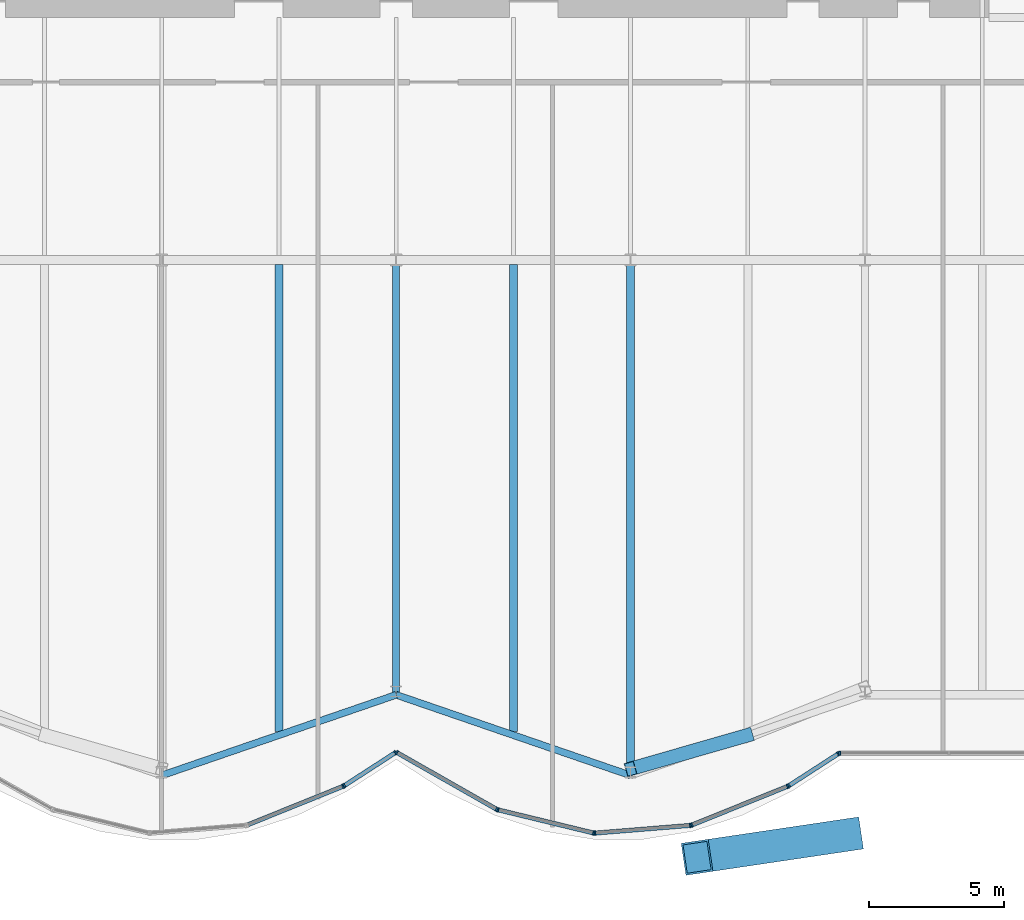
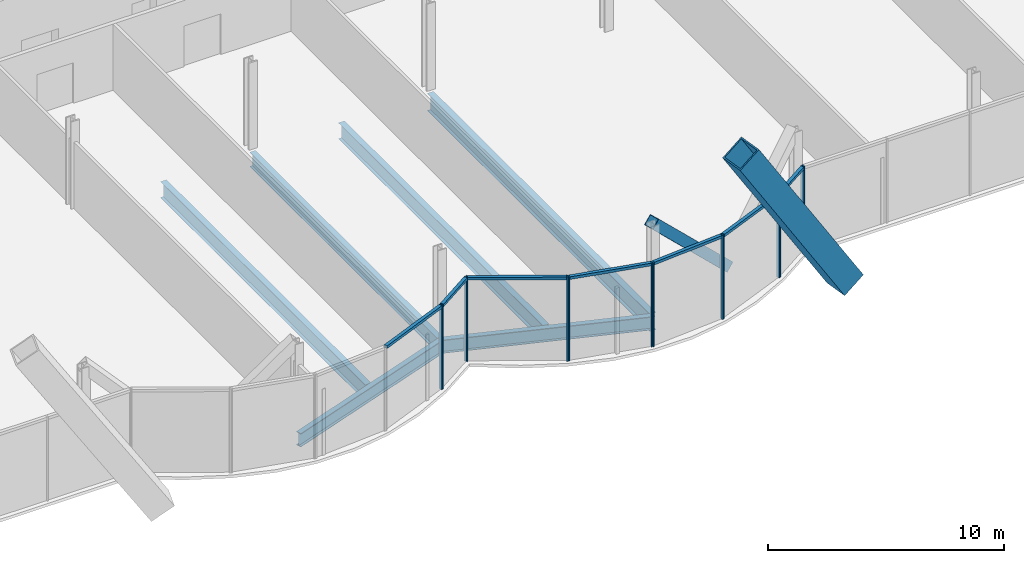
# One storey, part 8 of 23: 23 members, 6 beams, 3 elements without a shape of their own.
"""IFC4 building model written with IfcOpenShell, lengths in metres."""

from ifc_helpers import new_model, si_unit, direction, frame, origin, origin_2d, place, context, subcontext, project, spatial, rectangle, hollow_rectangle, i_section, extrude, material, material_profile, profile_set, type_object, element, aggregate, save


model = new_model("IFC4")

# Units and contexts
model_context = context("Model", 3, precision=1e-05, world=origin(), true_north=direction((0.0, 1.0)))
body_context = subcontext(model_context, "Body", "Model", "MODEL_VIEW")
ifc_project = project(units=[si_unit("LENGTHUNIT", "METRE"), si_unit("AREAUNIT", "SQUARE_METRE"), si_unit("VOLUMEUNIT", "CUBIC_METRE"), si_unit("PLANEANGLEUNIT", "RADIAN"), si_unit("MASSUNIT", "GRAM", prefix="KILO")], contexts=[model_context])

# Site, building, storey
site_placement = place(None, origin())
site = spatial("IfcSite", under=ifc_project, at=site_placement, CompositionType="ELEMENT")
building_placement = place(site_placement, origin())
building = spatial("IfcBuilding", under=site, at=building_placement, Name="Bicima Exchange Tower", CompositionType="ELEMENT")
storey_placement = place(building_placement, frame((0.0, 0.0, 62.0)))
storey = spatial("IfcBuildingStorey", under=building, at=storey_placement, Name="L12", CompositionType="ELEMENT", Elevation=62.0)

# Member
ifc_material_1 = material(Name="Steel ASTM A572 Gr 50", Category="steel")
ifc_material_profile_1 = material_profile(ifc_material_1, hollow_rectangle(XDim=1.199951171875, YDim=1.199951171875, WallThickness=0.070068359375, at=origin_2d()))
ifc_profile_set_1 = profile_set([ifc_material_profile_1], Name="Steel ASTM A572 Gr 50")
member_type_1 = type_object("IfcMemberType", Name="Exo mega brace BOX 1200x1200x70", PredefinedType="BRACE", material=ifc_profile_set_1)
member_1_placement = place(storey_placement, frame((16.75, -43.336181640625, 0.22509765625), z_axis=(-0.528722159177, -0.078467926374, 0.845160140403), x_axis=(0.146802604044, -0.989165807863, 0.0)))
element("IfcMember", 1, at=member_1_placement, inside=storey, type_object=member_type_1, Name="Exo mega brace front", PredefinedType="BRACE", context=body_context, shape_type="SweptSolid", body=[
    extrude(hollow_rectangle(XDim=1.199951171875, YDim=1.199951171875, WallThickness=0.070068359375, at=origin_2d()), origin(), (0.0, 0.0, 1.0), 10.559814453125),
])

# Beams
ifc_material_2 = material(Name="Steel ASTM A992 Gr 50", Category="steel")
ifc_material_profile_2 = material_profile(ifc_material_2, i_section(OverallWidth=0.2666015625, OverallDepth=0.75439453125, WebThickness=0.01318359375, FlangeThickness=0.01708984375, at=origin_2d()))
ifc_profile_set_2 = profile_set([ifc_material_profile_2], Name="Steel ASTM A992 Gr 50")
beam_type_1 = type_object("IfcBeamType", Name="Floor beam W30x99", PredefinedType="JOIST", material=ifc_profile_set_2)
beam_1_placement = place(storey_placement, frame((0.0, -22.16259765625, -0.527099609375), z_axis=(0.0, -1.0, 0.0), x_axis=(1.0, 0.0, 0.0)))
element("IfcBeam", 2, at=beam_1_placement, inside=storey, type_object=beam_type_1, Name="Floor beam", PredefinedType="JOIST", context=body_context, shape_type="SweptSolid", body=[
    extrude(i_section(OverallWidth=0.2666015625, OverallDepth=0.75439453125, WebThickness=0.01318359375, FlangeThickness=0.01708984375, at=origin_2d()), origin(), (0.0, 0.0, 1.0), 15.973388671875),
])
ifc_material_profile_3 = material_profile(ifc_material_2, i_section(OverallWidth=0.2919921875, OverallDepth=0.835693359375, WebThickness=0.013916015625, FlangeThickness=0.018798828125, at=origin_2d()))
ifc_profile_set_3 = profile_set([ifc_material_profile_3], Name="Steel ASTM A992 Gr 50")
beam_type_2 = type_object("IfcBeamType", Name="Floor beam W33x118", PredefinedType="JOIST", material=ifc_profile_set_3)
for number, where, z_axis, x_axis, name in (
    (3, (-4.35009765625, -22.16259765625, -0.56787109375), (0.0, -1.0, 0.0), (1.0, 0.0, 0.0), "Floor beam"),
    (4, (4.35009765625, -22.16259765625, -0.56787109375), (0.0, -1.0, 0.0), (1.0, 0.0, 0.0), "Floor beam"),
):
    element("IfcBeam", number, at=place(storey_placement, frame(where, z_axis=z_axis, x_axis=x_axis)), inside=storey, type_object=beam_type_2, Name=name, PredefinedType="JOIST", context=body_context, shape_type="SweptSolid", body=[
        extrude(i_section(OverallWidth=0.2919921875, OverallDepth=0.835693359375, WebThickness=0.013916015625, FlangeThickness=0.018798828125, at=origin_2d()), origin(), (0.0, 0.0, 1.0), 17.333251953125),
    ])
ifc_material_profile_4 = material_profile(ifc_material_2, i_section(OverallWidth=0.3046875, OverallDepth=0.904296875, WebThickness=0.01513671875, FlangeThickness=0.02001953125, at=origin_2d()))
ifc_profile_set_4 = profile_set([ifc_material_profile_4], Name="Steel ASTM A992 Gr 50")
beam_type_3 = type_object("IfcBeamType", Name="Floor beam W36x135", PredefinedType="JOIST", material=ifc_profile_set_4)
beam_2_placement = place(storey_placement, frame((8.699951171875, -22.16259765625, -0.60205078125), z_axis=(0.0, -1.0, 0.0), x_axis=(1.0, 0.0, 0.0)))
element("IfcBeam", 5, at=beam_2_placement, inside=storey, type_object=beam_type_3, Name="Floor beam", PredefinedType="JOIST", context=body_context, shape_type="SweptSolid", body=[
    extrude(i_section(OverallWidth=0.3046875, OverallDepth=0.904296875, WebThickness=0.01513671875, FlangeThickness=0.02001953125, at=origin_2d()), origin(), (0.0, 0.0, 1.0), 18.828857421875),
])
ifc_material_profile_5 = material_profile(ifc_material_2, i_section(OverallWidth=0.256591796875, OverallDepth=0.693359375, WebThickness=0.014404296875, FlangeThickness=0.023681640625, at=origin_2d()))
ifc_profile_set_5 = profile_set([ifc_material_profile_5], Name="Steel ASTM A992 Gr 50")
beam_type_4 = type_object("IfcBeamType", Name="Front girder W27x114", PredefinedType="BEAM", material=ifc_profile_set_5)
for number, where, z_axis, x_axis, name in (
    (6, (-8.699951171875, -41.127197265625, -0.49658203125), (0.945666456746, 0.325138359143, 0.0), (-0.325138359143, 0.945666456746, 0.0), "Front girder"),
    (7, (0.0, -38.135986328125, -0.49658203125), (0.945666456746, -0.325138359143, 0.0), (0.325138359143, 0.945666456746, 0.0), "Front girder"),
):
    element("IfcBeam", number, at=place(storey_placement, frame(where, z_axis=z_axis, x_axis=x_axis)), inside=storey, type_object=beam_type_4, Name=name, PredefinedType="BEAM", context=body_context, shape_type="SweptSolid", body=[
        extrude(i_section(OverallWidth=0.256591796875, OverallDepth=0.693359375, WebThickness=0.014404296875, FlangeThickness=0.023681640625, at=origin_2d()), origin(), (0.0, 0.0, 1.0), 9.19970703125),
    ])

# Curtain wall, members
ifc_material_3 = material(Name="Anodised bronze aluminium", Category="aluminium")
curtain_wall_type = type_object("IfcCurtainWallType", Name="Front glass wall", PredefinedType="NOTDEFINED", material=ifc_material_3)
curtain_wall_1_placement = place(storey_placement, origin())
curtain_wall_1 = element("IfcCurtainWall", 8, at=curtain_wall_1_placement, inside=storey, type_object=curtain_wall_type, Name="Front glass wall L12 run 6", PredefinedType="NOTDEFINED")
ifc_material_profile_6 = material_profile(ifc_material_3, rectangle(XDim=0.159912109375, YDim=0.06005859375, at=origin_2d()))
ifc_profile_set_6 = profile_set([ifc_material_profile_6], Name="Anodised bronze aluminium")
member_type_2 = type_object("IfcMemberType", Name="Front glass wall mullion 60 x 160", PredefinedType="MULLION", material=ifc_profile_set_6)
member_2_placement = place(storey_placement, frame((-1.97412109375, -41.531494140625, 0.0), z_axis=(0.0, 0.0, 1.0), x_axis=(-0.374705304, 0.92714396679, 0.0)))
member_2 = element("IfcMember", 9, at=member_2_placement, type_object=member_type_2, Name="Front glass wall mullion 2", PredefinedType="MULLION", context=body_context, shape_type="SweptSolid", body=[
    extrude(rectangle(XDim=0.159912109375, YDim=0.06005859375, at=origin_2d()), origin(), (0.0, 0.0, 1.0), 4.35009765625),
])
member_3_placement = place(storey_placement, frame((-1.921142578125, -41.504150390625, 0.0), z_axis=(0.0, 0.0, 1.0), x_axis=(-0.542897457326, 0.839798994301, 0.0)))
member_3 = element("IfcMember", 10, at=member_3_placement, type_object=member_type_2, Name="Front glass wall mullion 1", PredefinedType="MULLION", context=body_context, shape_type="SweptSolid", body=[
    extrude(rectangle(XDim=0.159912109375, YDim=0.06005859375, at=origin_2d()), origin(), (0.0, 0.0, 1.0), 4.35009765625),
])
member_4_placement = place(storey_placement, frame((-0.025146484375, -40.2783203125, 0.0), z_axis=(0.0, 0.0, 1.0), x_axis=(-0.542897457326, 0.839798994301, 0.0)))
member_4 = element("IfcMember", 11, at=member_4_placement, type_object=member_type_2, Name="Front glass wall mullion 2", PredefinedType="MULLION", context=body_context, shape_type="SweptSolid", body=[
    extrude(rectangle(XDim=0.159912109375, YDim=0.06005859375, at=origin_2d()), origin(), (0.0, 0.0, 1.0), 4.35009765625),
])

curtain_wall_2_placement = place(storey_placement, origin())
curtain_wall_2 = element("IfcCurtainWall", 12, at=curtain_wall_2_placement, inside=storey, type_object=curtain_wall_type, Name="Front glass wall L12 run 11", PredefinedType="NOTDEFINED")
member_5_placement = place(storey_placement, frame((0.026123046875, -40.277099609375, 0.0), z_axis=(0.0, 0.0, 1.0), x_axis=(0.494330311331, 0.869274147378, 0.0)))
member_5 = element("IfcMember", 13, at=member_5_placement, type_object=member_type_2, Name="Front glass wall mullion 1", PredefinedType="MULLION", context=body_context, shape_type="SweptSolid", body=[
    extrude(rectangle(XDim=0.159912109375, YDim=0.06005859375, at=origin_2d()), origin(), (0.0, 0.0, 1.0), 4.35009765625),
])
member_6_placement = place(storey_placement, frame((3.7265625, -42.38134765625, 0.0), z_axis=(0.0, 0.0, 1.0), x_axis=(0.494330311331, 0.869274147378, 0.0)))
member_6 = element("IfcMember", 14, at=member_6_placement, type_object=member_type_2, Name="Front glass wall mullion 2", PredefinedType="MULLION", context=body_context, shape_type="SweptSolid", body=[
    extrude(rectangle(XDim=0.159912109375, YDim=0.06005859375, at=origin_2d()), origin(), (0.0, 0.0, 1.0), 4.35009765625),
])
member_7_placement = place(storey_placement, frame((3.781982421875, -42.4033203125, 0.0), z_axis=(0.0, 0.0, 1.0), x_axis=(0.235681529503, 0.971830343553, 0.0)))
member_7 = element("IfcMember", 15, at=member_7_placement, type_object=member_type_2, Name="Front glass wall mullion 1", PredefinedType="MULLION", context=body_context, shape_type="SweptSolid", body=[
    extrude(rectangle(XDim=0.159912109375, YDim=0.06005859375, at=origin_2d()), origin(), (0.0, 0.0, 1.0), 4.35009765625),
])
member_8_placement = place(storey_placement, frame((7.322509765625, -43.261962890625, 0.0), z_axis=(0.0, 0.0, 1.0), x_axis=(0.235681529503, 0.971830343553, 0.0)))
member_8 = element("IfcMember", 16, at=member_8_placement, type_object=member_type_2, Name="Front glass wall mullion 2", PredefinedType="MULLION", context=body_context, shape_type="SweptSolid", body=[
    extrude(rectangle(XDim=0.159912109375, YDim=0.06005859375, at=origin_2d()), origin(), (0.0, 0.0, 1.0), 4.35009765625),
])
member_9_placement = place(storey_placement, frame((7.381591796875, -43.2666015625, 0.0), z_axis=(0.0, 0.0, 1.0), x_axis=(-0.080588612633, 0.99674744821, 0.0)))
member_9 = element("IfcMember", 17, at=member_9_placement, type_object=member_type_2, Name="Front glass wall mullion 1", PredefinedType="MULLION", context=body_context, shape_type="SweptSolid", body=[
    extrude(rectangle(XDim=0.159912109375, YDim=0.06005859375, at=origin_2d()), origin(), (0.0, 0.0, 1.0), 4.35009765625),
])
member_10_placement = place(storey_placement, frame((10.916015625, -42.980712890625, 0.0), z_axis=(0.0, 0.0, 1.0), x_axis=(-0.080588612633, 0.99674744821, 0.0)))
member_10 = element("IfcMember", 18, at=member_10_placement, type_object=member_type_2, Name="Front glass wall mullion 2", PredefinedType="MULLION", context=body_context, shape_type="SweptSolid", body=[
    extrude(rectangle(XDim=0.159912109375, YDim=0.06005859375, at=origin_2d()), origin(), (0.0, 0.0, 1.0), 4.35009765625),
])
member_11_placement = place(storey_placement, frame((10.973876953125, -42.96728515625, 0.0), z_axis=(0.0, 0.0, 1.0), x_axis=(-0.374705304, 0.92714396679, 0.0)))
member_11 = element("IfcMember", 19, at=member_11_placement, type_object=member_type_2, Name="Front glass wall mullion 1", PredefinedType="MULLION", context=body_context, shape_type="SweptSolid", body=[
    extrude(rectangle(XDim=0.159912109375, YDim=0.06005859375, at=origin_2d()), origin(), (0.0, 0.0, 1.0), 4.35009765625),
])
member_12_placement = place(storey_placement, frame((14.52587890625, -41.531494140625, 0.0), z_axis=(0.0, 0.0, 1.0), x_axis=(-0.374705304, 0.92714396679, 0.0)))
member_12 = element("IfcMember", 20, at=member_12_placement, type_object=member_type_2, Name="Front glass wall mullion 2", PredefinedType="MULLION", context=body_context, shape_type="SweptSolid", body=[
    extrude(rectangle(XDim=0.159912109375, YDim=0.06005859375, at=origin_2d()), origin(), (0.0, 0.0, 1.0), 4.35009765625),
])
member_13_placement = place(storey_placement, frame((14.578857421875, -41.504150390625, 0.0), z_axis=(0.0, 0.0, 1.0), x_axis=(-0.542909183079, 0.839791413941, 0.0)))
member_13 = element("IfcMember", 21, at=member_13_placement, type_object=member_type_2, Name="Front glass wall mullion 1", PredefinedType="MULLION", context=body_context, shape_type="SweptSolid", body=[
    extrude(rectangle(XDim=0.159912109375, YDim=0.06005859375, at=origin_2d()), origin(), (0.0, 0.0, 1.0), 4.35009765625),
])
member_14_placement = place(storey_placement, frame((16.406982421875, -40.322265625, 0.0), z_axis=(0.0, 0.0, 1.0), x_axis=(-0.542909183079, 0.839791413941, 0.0)))
member_14 = element("IfcMember", 22, at=member_14_placement, type_object=member_type_2, Name="Front glass wall mullion 2", PredefinedType="MULLION", context=body_context, shape_type="SweptSolid", body=[
    extrude(rectangle(XDim=0.159912109375, YDim=0.06005859375, at=origin_2d()), origin(), (0.0, 0.0, 1.0), 4.35009765625),
])

# Curtain wall, member
curtain_wall_3_placement = place(storey_placement, origin())
curtain_wall_3 = element("IfcCurtainWall", 23, at=curtain_wall_3_placement, inside=storey, type_object=curtain_wall_type, Name="Front glass wall L12 run 16", PredefinedType="NOTDEFINED")
member_15_placement = place(storey_placement, frame((16.462158203125, -40.305908203125, 0.0), z_axis=(0.0, 0.0, 1.0), x_axis=(0.0, 1.0, 0.0)))
member_15 = element("IfcMember", 24, at=member_15_placement, type_object=member_type_2, Name="Front glass wall mullion 1", PredefinedType="MULLION", context=body_context, shape_type="SweptSolid", body=[
    extrude(rectangle(XDim=0.159912109375, YDim=0.06005859375, at=origin_2d()), origin(), (0.0, 0.0, 1.0), 4.35009765625),
])
aggregate(curtain_wall_3, [member_15])

# Member
ifc_material_profile_7 = material_profile(ifc_material_3, rectangle(XDim=0.159912109375, YDim=0.139892578125, at=origin_2d()))
ifc_profile_set_7 = profile_set([ifc_material_profile_7], Name="Anodised bronze aluminium")
member_type_3 = type_object("IfcMemberType", Name="Front glass wall transom 140 x 160", PredefinedType="USERDEFINED", material=ifc_profile_set_7)
member_16_placement = place(storey_placement, frame((-5.498291015625, -42.955810546875, 4.280029296875), z_axis=(0.927140215882, 0.374714584842, 0.0), x_axis=(-0.374714584842, 0.927140215882, 0.0)))
member_16 = element("IfcMember", 25, at=member_16_placement, type_object=member_type_3, Name="Front glass wall transom 1.1", ObjectType="TRANSOM", PredefinedType="USERDEFINED", context=body_context, shape_type="SweptSolid", body=[
    extrude(rectangle(XDim=0.159912109375, YDim=0.139892578125, at=origin_2d()), origin(), (0.0, 0.0, 1.0), 3.77099609375),
])

member_17_placement = place(storey_placement, frame((-1.89599609375, -41.48779296875, 4.280029296875), z_axis=(0.839811483481, 0.542878137536, 0.0), x_axis=(-0.542878137536, 0.839811483481, 0.0)))
member_17 = element("IfcMember", 26, at=member_17_placement, type_object=member_type_3, Name="Front glass wall transom 1.1", ObjectType="TRANSOM", PredefinedType="USERDEFINED", context=body_context, shape_type="SweptSolid", body=[
    extrude(rectangle(XDim=0.159912109375, YDim=0.139892578125, at=origin_2d()), origin(), (0.0, 0.0, 1.0), 2.19775390625),
])

aggregate(curtain_wall_1, [member_2, member_16, member_3, member_4, member_17])

member_18_placement = place(storey_placement, frame((0.05224609375, -40.291748046875, 4.280029296875), z_axis=(0.869265121745, -0.494346182466, 0.0), x_axis=(0.494346182466, 0.869265121745, 0.0)))
member_18 = element("IfcMember", 27, at=member_18_placement, type_object=member_type_3, Name="Front glass wall transom 1.1", ObjectType="TRANSOM", PredefinedType="USERDEFINED", context=body_context, shape_type="SweptSolid", body=[
    extrude(rectangle(XDim=0.159912109375, YDim=0.139892578125, at=origin_2d()), origin(), (0.0, 0.0, 1.0), 4.19677734375),
])

member_19_placement = place(storey_placement, frame((3.81103515625, -42.410400390625, 4.280029296875), z_axis=(0.971833557815, -0.235668275132, 0.0), x_axis=(0.235668275132, 0.971833557815, 0.0)))
member_19 = element("IfcMember", 28, at=member_19_placement, type_object=member_type_3, Name="Front glass wall transom 1.1", ObjectType="TRANSOM", PredefinedType="USERDEFINED", context=body_context, shape_type="SweptSolid", body=[
    extrude(rectangle(XDim=0.159912109375, YDim=0.139892578125, at=origin_2d()), origin(), (0.0, 0.0, 1.0), 3.583251953125),
])

member_20_placement = place(storey_placement, frame((7.41162109375, -43.26416015625, 4.280029296875), z_axis=(0.9967456465, 0.080610893699, 0.0), x_axis=(-0.080610893699, 0.9967456465, 0.0)))
member_20 = element("IfcMember", 29, at=member_20_placement, type_object=member_type_3, Name="Front glass wall transom 1.1", ObjectType="TRANSOM", PredefinedType="USERDEFINED", context=body_context, shape_type="SweptSolid", body=[
    extrude(rectangle(XDim=0.159912109375, YDim=0.139892578125, at=origin_2d()), origin(), (0.0, 0.0, 1.0), 3.48583984375),
])

member_21_placement = place(storey_placement, frame((11.001708984375, -42.955810546875, 4.280029296875), z_axis=(0.927140215882, 0.374714584842, 0.0), x_axis=(-0.374714584842, 0.927140215882, 0.0)))
member_21 = element("IfcMember", 30, at=member_21_placement, type_object=member_type_3, Name="Front glass wall transom 1.1", ObjectType="TRANSOM", PredefinedType="USERDEFINED", context=body_context, shape_type="SweptSolid", body=[
    extrude(rectangle(XDim=0.159912109375, YDim=0.139892578125, at=origin_2d()), origin(), (0.0, 0.0, 1.0), 3.77099609375),
])

member_22_placement = place(storey_placement, frame((14.60400390625, -41.48779296875, 4.280029296875), z_axis=(0.839792890287, 0.542906899407, 0.0), x_axis=(-0.542906899407, 0.839792890287, 0.0)))
member_22 = element("IfcMember", 31, at=member_22_placement, type_object=member_type_3, Name="Front glass wall transom 1.1", ObjectType="TRANSOM", PredefinedType="USERDEFINED", context=body_context, shape_type="SweptSolid", body=[
    extrude(rectangle(XDim=0.159912109375, YDim=0.139892578125, at=origin_2d()), origin(), (0.0, 0.0, 1.0), 2.11669921875),
])

aggregate(curtain_wall_2, [member_5, member_6, member_18, member_7, member_8, member_19, member_9, member_10, member_20, member_11, member_12, member_21, member_13, member_14, member_22])

ifc_material_profile_8 = material_profile(ifc_material_1, hollow_rectangle(XDim=0.508056640625, YDim=0.508056640625, WallThickness=0.017822265625, at=origin_2d()))
ifc_profile_set_8 = profile_set([ifc_material_profile_8], Name="Steel ASTM A572 Gr 50")
member_type_4 = type_object("IfcMemberType", Name="Mega brace HSS20x20x3/4", PredefinedType="BRACE", material=ifc_profile_set_8)
member_23_placement = place(storey_placement, frame((13.050048828125, -39.631591796875, 0.0), z_axis=(-0.681539584879, -0.196069812105, 0.705025122264), x_axis=(0.276473064615, -0.961021667052, 0.0)))
element("IfcMember", 32, at=member_23_placement, inside=storey, type_object=member_type_4, Name="Mega brace front", PredefinedType="BRACE", context=body_context, shape_type="SweptSolid", body=[
    extrude(hollow_rectangle(XDim=0.508056640625, YDim=0.508056640625, WallThickness=0.017822265625, at=origin_2d()), origin(), (0.0, 0.0, 1.0), 6.3828125),
])

save(model, "model.ifc")
